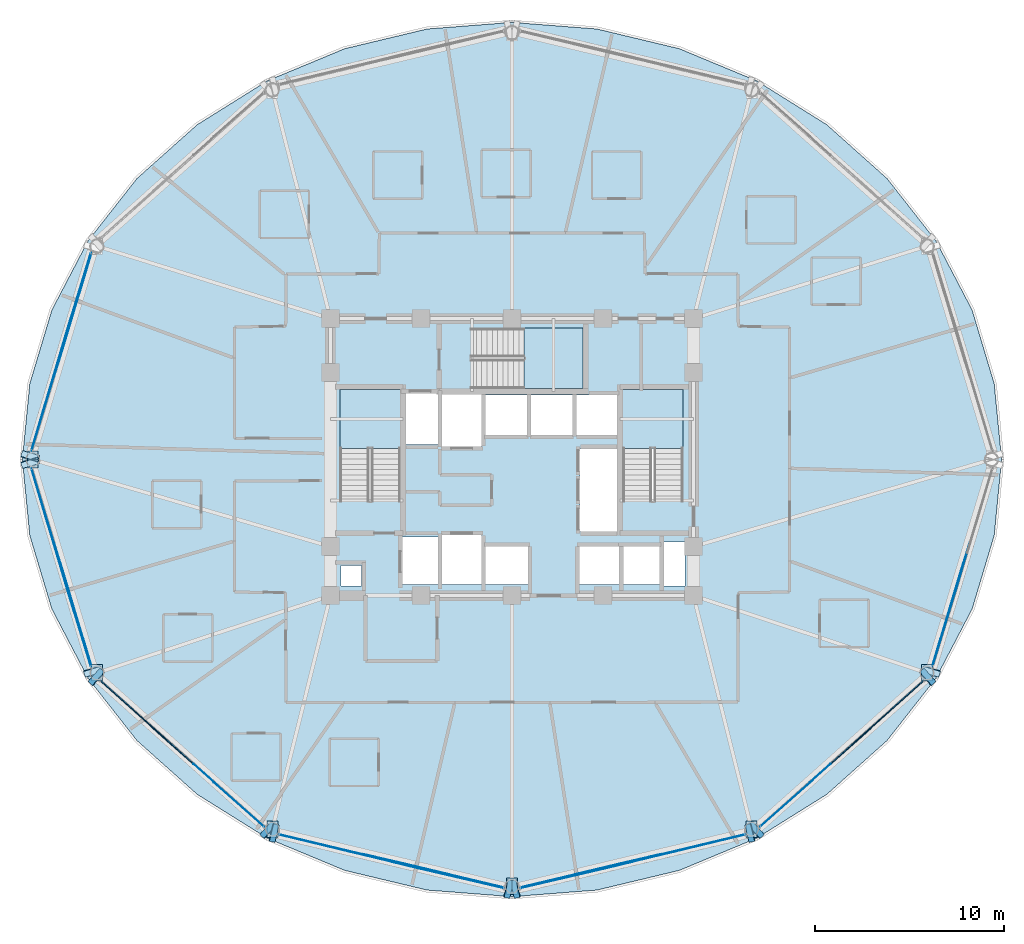
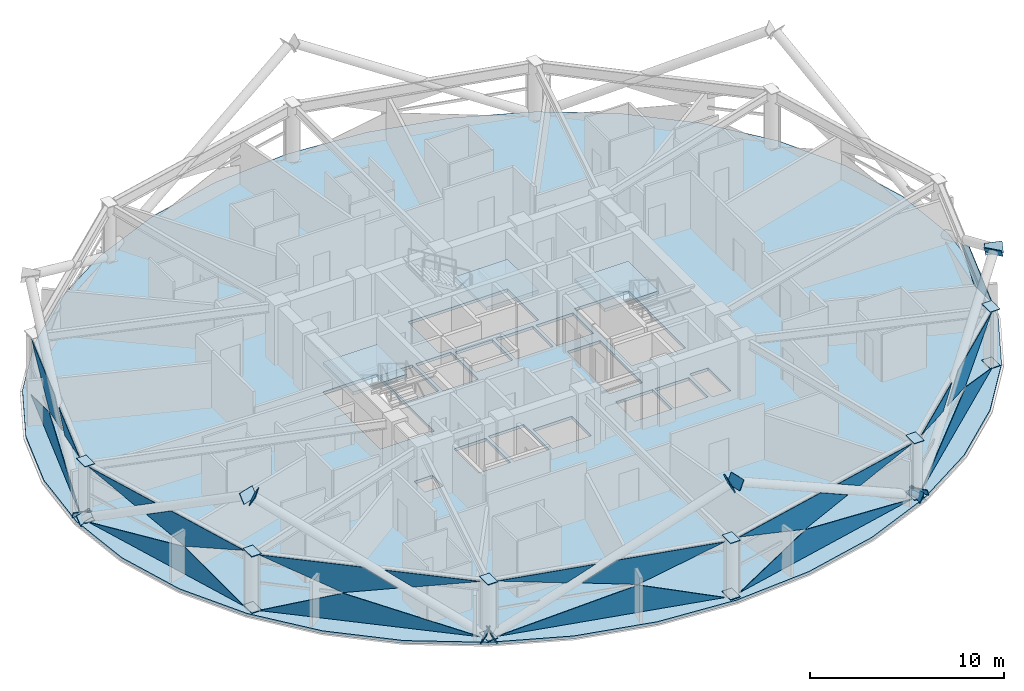
# One storey, part 21 of 30: 43 plates, 4 slabs, 10 elements without a shape of their own.
"""IFC4 building model written with IfcOpenShell, lengths in metres."""

from ifc_helpers import new_model, si_unit, direction, frame, origin, place, context, subcontext, project, spatial, polyline, outline, extrude, material, layer, layer_set, type_object, element, aggregate, save


model = new_model("IFC4")

# Units and contexts
model_context = context("Model", 3, precision=1e-05, world=origin(), true_north=direction((0.0, 1.0)))
body_context = subcontext(model_context, "Body", "Model", "MODEL_VIEW")
ifc_project = project(units=[si_unit("LENGTHUNIT", "METRE"), si_unit("AREAUNIT", "SQUARE_METRE"), si_unit("VOLUMEUNIT", "CUBIC_METRE"), si_unit("PLANEANGLEUNIT", "RADIAN"), si_unit("MASSUNIT", "GRAM", prefix="KILO")], contexts=[model_context])

# Site, building, storey
site_placement = place(None, origin())
site = spatial("IfcSite", under=ifc_project, at=site_placement, CompositionType="ELEMENT")
building_placement = place(site_placement, origin())
building = spatial("IfcBuilding", under=site, at=building_placement, Name="Vantalir Tower", CompositionType="ELEMENT")
storey_placement = place(building_placement, frame((0.0, 0.0, 119.699951171875)))
storey = spatial("IfcBuildingStorey", under=building, at=storey_placement, Name="L29", CompositionType="ELEMENT", Elevation=119.699951171875)

# Curtain wall, plates
ifc_material_1 = material(Name="Champagne-silver PVDF aluminium and double-silver Low-E glass", Category="aluminium")
ifc_layer_1 = layer(ifc_material_1, 0.199951171875)
ifc_layer_set_1 = layer_set([ifc_layer_1], Name="Champagne-silver PVDF aluminium and double-silver Low-E glass")
curtain_wall_type = type_object("IfcCurtainWallType", Name="CW-DIAMOND-Z2", PredefinedType="USERDEFINED", material=ifc_layer_set_1)
curtain_wall_1_placement = place(storey_placement, origin())
curtain_wall_1 = element("IfcCurtainWall", 1, at=curtain_wall_1_placement, inside=storey, type_object=curtain_wall_type, Name="L29 Quilted Pyramid-Diamond Curtain Wall S06", ObjectType="UNITISED CURTAIN WALL", PredefinedType="USERDEFINED")
ifc_material_2 = material(Name="Double-silver Low-E laminated glass IGU", Category="glass")
ifc_layer_2 = layer(ifc_material_2, 0.028076171875)
ifc_layer_set_2 = layer_set([ifc_layer_2], Name="Double-silver Low-E laminated glass IGU")
plate_type_1 = type_object("IfcPlateType", Name="CWP-IGU-28", PredefinedType="CURTAIN_PANEL", material=ifc_layer_set_2)
plate_1_placement = place(storey_placement, frame((9.259033203125, 35.9423828125, 0.046875), z_axis=(0.957578053616, -0.287841463526, 0.013840632538), x_axis=(-0.287868447125, -0.957669961505, -4.4506563e-05)))
plate_1 = element("IfcPlate", 2, at=plate_1_placement, type_object=plate_type_1, Name="CW-L29-S06 Pyramid Diamond Facet 1L", PredefinedType="CURTAIN_PANEL", context=body_context, shape_type="SweptSolid", body=[
    extrude(outline(polyline([(0.0, 0.0), (10.970994412692926, 8.131516293641283e-18), (4.174478585350832, -1.7266695437920627), (0.0, 0.0)])), origin(), (0.0, 0.0, -1.0), 0.028076171875),
])
plate_2_placement = place(storey_placement, frame((9.259033203125, 35.9423828125, 3.5234375), z_axis=(-0.957588260147, 0.287806505147, 0.013861443813), x_axis=(-0.287834162789, -0.957680267486, -3.11852e-07)))
plate_2 = element("IfcPlate", 3, at=plate_2_placement, type_object=plate_type_1, Name="CW-L29-S06 Pyramid Diamond Facet 2U", PredefinedType="CURTAIN_PANEL", context=body_context, shape_type="SweptSolid", body=[
    extrude(outline(polyline([(0.0, 0.0), (5.160055991354024, -3.469446951953614e-18), (6.883589873710676, -1.0384276978112634), (4.174555102110015, -1.7264845377188185), (0.0, 0.0)])), origin(), (0.0, 0.0, -1.0), 0.028076171875),
])
plate_3_placement = place(storey_placement, frame((7.425048828125, 29.952392578125, 3.52392578125), z_axis=(-0.95759268239, 0.287801646243, 0.013655293989), x_axis=(-0.287828482758, -0.95768197462, 0.0)))
plate_3 = element("IfcPlate", 4, at=plate_3_placement, type_object=plate_type_1, Name="CW-L29-S06 Pyramid Diamond Facet 2U Infill Light", PredefinedType="CURTAIN_PANEL", context=body_context, shape_type="SweptSolid", body=[
    extrude(outline(polyline([(0.0, 0.0), (4.706748669004989, 0.0), (1.396126609300826, -0.8408987161082094), (0.0, 0.0)])), origin(), (0.0, 0.0, -1.0), 0.028076171875),
])
aggregate(curtain_wall_1, [plate_1, plate_2, plate_3])

curtain_wall_2_placement = place(storey_placement, origin())
curtain_wall_2 = element("IfcCurtainWall", 5, at=curtain_wall_2_placement, inside=storey, type_object=curtain_wall_type, Name="L29 Quilted Pyramid-Diamond Curtain Wall S07", ObjectType="UNITISED CURTAIN WALL", PredefinedType="USERDEFINED")
plate_4_placement = place(storey_placement, frame((6.100830078125, 24.564208984375, 0.04638671875), z_axis=(0.957578053616, 0.287841463526, 0.013840632538), x_axis=(0.287868447125, -0.957669961505, 4.4506563e-05)))
plate_4 = element("IfcPlate", 6, at=plate_4_placement, type_object=plate_type_1, Name="CW-L29-S07 Pyramid Diamond Facet 1L", PredefinedType="CURTAIN_PANEL", context=body_context, shape_type="SweptSolid", body=[
    extrude(outline(polyline([(0.0, 0.0), (10.970994412692926, -8.131516293641283e-18), (6.796515827342093, -1.7266695437920625), (0.0, 0.0)])), origin(), (0.0, 0.0, -1.0), 0.028076171875),
])
plate_5_placement = place(storey_placement, frame((7.773681640625, 18.999267578125, 3.5234375), z_axis=(-0.957588260147, -0.287806505147, 0.013861443813), x_axis=(0.287834162789, -0.957680267486, 3.11852e-07)))
plate_5 = element("IfcPlate", 7, at=plate_5_placement, type_object=plate_type_1, Name="CW-L29-S07 Pyramid Diamond Facet 2U", PredefinedType="CURTAIN_PANEL", context=body_context, shape_type="SweptSolid", body=[
    extrude(outline(polyline([(0.0, 0.0), (5.160055991354024, 3.469446951953614e-18), (0.9855008892440076, -1.7264845377188185), (-1.7235338823566524, -1.0384276978112634), (0.0, 0.0)])), origin(), (0.0, 0.0, -1.0), 0.028076171875),
])
plate_6_placement = place(storey_placement, frame((6.0703125, 24.55517578125, 3.52392578125), z_axis=(-0.95759268239, -0.287801646243, 0.013655293989), x_axis=(0.287828482758, -0.95768197462, 0.0)))
plate_6 = element("IfcPlate", 8, at=plate_6_placement, type_object=plate_type_1, Name="CW-L29-S07 Pyramid Diamond Facet 2U Infill Light", PredefinedType="CURTAIN_PANEL", context=body_context, shape_type="SweptSolid", body=[
    extrude(outline(polyline([(0.0, 0.0), (4.706748669004989, 0.0), (3.3106220597041633, -0.8408987161082094), (0.0, 0.0)])), origin(), (0.0, 0.0, -1.0), 0.028076171875),
])
aggregate(curtain_wall_2, [plate_4, plate_5, plate_6])

curtain_wall_3_placement = place(storey_placement, origin())
curtain_wall_3 = element("IfcCurtainWall", 9, at=curtain_wall_3_placement, inside=storey, type_object=curtain_wall_type, Name="L29 Quilted Pyramid-Diamond Curtain Wall S08", ObjectType="UNITISED CURTAIN WALL", PredefinedType="USERDEFINED")
plate_7_placement = place(storey_placement, frame((9.7294921875, 13.3193359375, 0.046630859375), z_axis=(0.665299997576, 0.746453720294, 0.013518753099), x_axis=(0.746522128378, -0.665360587501, -2.1031755e-05)))
plate_7 = element("IfcPlate", 10, at=plate_7_placement, type_object=plate_type_1, Name="CW-L29-S08 Pyramid Diamond Facet 1L", PredefinedType="CURTAIN_PANEL", context=body_context, shape_type="SweptSolid", body=[
    extrude(outline(polyline([(0.0, 0.0), (11.60819104345454, 1.4690939437178585e-17), (4.412884720240076, -1.7270572745579436), (0.0, 0.0)])), origin(), (0.0, 0.0, -1.0), 0.028076171875),
])
plate_8_placement = place(storey_placement, frame((9.7294921875, 13.3193359375, 3.5234375), z_axis=(-0.665302752759, -0.74645122267, 0.013521070447), x_axis=(0.746519465343, -0.665363575697, 5.0468e-08)))
plate_8 = element("IfcPlate", 11, at=plate_8_placement, type_object=plate_type_1, Name="CW-L29-S08 Pyramid Diamond Facet 2U", PredefinedType="CURTAIN_PANEL", context=body_context, shape_type="SweptSolid", body=[
    extrude(outline(polyline([(0.0, 0.0), (5.468720027258396, 6.938893903907228e-18), (7.283555827579665, -1.037937046286152), (4.412921045257344, -1.726964455812568), (0.0, 0.0)])), origin(), (0.0, 0.0, -1.0), 0.028076171875),
])
plate_9_placement = place(storey_placement, frame((14.647705078125, 8.892822265625, 3.52392578125), z_axis=(-0.665284228893, -0.746469142291, 0.013443005368), x_axis=(0.746537036916, -0.665343858558, 4.8911553e-05)))
plate_9 = element("IfcPlate", 12, at=plate_9_placement, type_object=plate_type_1, Name="CW-L29-S08 Pyramid Diamond Facet 2U Infill Light", PredefinedType="CURTAIN_PANEL", context=body_context, shape_type="SweptSolid", body=[
    extrude(outline(polyline([(0.0, 0.0), (4.991471521318294, -2.8189256484623115e-18), (1.4751675374772637, -0.8438984094848941), (0.0, 0.0)])), origin(), (0.0, 0.0, -1.0), 0.028076171875),
])
aggregate(curtain_wall_3, [plate_7, plate_8, plate_9])

curtain_wall_4_placement = place(storey_placement, origin())
curtain_wall_4 = element("IfcCurtainWall", 13, at=curtain_wall_4_placement, inside=storey, type_object=curtain_wall_type, Name="L29 Quilted Pyramid-Diamond Curtain Wall S09", ObjectType="UNITISED CURTAIN WALL", PredefinedType="USERDEFINED")
plate_10_placement = place(storey_placement, frame((19.177490234375, 5.187255859375, 0.04638671875), z_axis=(0.232299062486, 0.972547398825, 0.013736906736), x_axis=(0.972639108939, -0.232321250348, 1.9988062e-05)))
plate_10 = element("IfcPlate", 14, at=plate_10_placement, type_object=plate_type_1, Name="CW-L29-S09 Pyramid Diamond Facet 1L", PredefinedType="CURTAIN_PANEL", context=body_context, shape_type="SweptSolid", body=[
    extrude(outline(polyline([(0.0, 0.0), (12.214321677942559, 2.3852447794681098e-18), (7.566829300633207, -1.72730665728665), (0.0, 0.0)])), origin(), (0.0, 0.0, -1.0), 0.028076171875),
])
plate_11_placement = place(storey_placement, frame((25.452392578125, 3.6884765625, 3.523681640625), z_axis=(-0.232301234705, -0.97254673687, 0.013747034514), x_axis=(0.972638510064, -0.232323754585, -4.2380741e-05)))
plate_11 = element("IfcPlate", 15, at=plate_11_placement, type_object=plate_type_1, Name="CW-L29-S09 Pyramid Diamond Facet 2U", PredefinedType="CURTAIN_PANEL", context=body_context, shape_type="SweptSolid", body=[
    extrude(outline(polyline([(0.0, 0.0), (5.762907974873751, 2.981555974335137e-19), (1.1154543352141921, -1.7274108812387383), (-1.9029553580483136, -1.0382647935510374), (0.0, 0.0)])), origin(), (0.0, 0.0, -1.0), 0.028076171875),
])
plate_12_placement = place(storey_placement, frame((19.170166015625, 5.15625, 3.524169921875), z_axis=(-0.232304264047, -0.972542172526, 0.014016117995), x_axis=(0.972637715319, -0.232327085678, 0.0)))
plate_12 = element("IfcPlate", 16, at=plate_12_placement, type_object=plate_type_1, Name="CW-L29-S09 Pyramid Diamond Facet 2U Infill Light", PredefinedType="CURTAIN_PANEL", context=body_context, shape_type="SweptSolid", body=[
    extrude(outline(polyline([(0.0, 0.0), (5.262650484484167, 0.0), (3.7102356855012117, -0.8470070301392341), (0.0, 0.0)])), origin(), (0.0, 0.0, -1.0), 0.028076171875),
])
aggregate(curtain_wall_4, [plate_10, plate_11, plate_12])

curtain_wall_5_placement = place(storey_placement, origin())
curtain_wall_5 = element("IfcCurtainWall", 17, at=curtain_wall_5_placement, inside=storey, type_object=curtain_wall_type, Name="L29 Quilted Pyramid-Diamond Curtain Wall S10", ObjectType="UNITISED CURTAIN WALL", PredefinedType="USERDEFINED")
plate_13_placement = place(storey_placement, frame((31.9423828125, 2.349609375, 0.046630859375), z_axis=(-0.232299062486, 0.972547398825, 0.013736906736), x_axis=(0.972639108939, 0.232321250348, -1.9988062e-05)))
plate_13 = element("IfcPlate", 18, at=plate_13_placement, type_object=plate_type_1, Name="CW-L29-S10 Pyramid Diamond Facet 1L", PredefinedType="CURTAIN_PANEL", context=body_context, shape_type="SweptSolid", body=[
    extrude(outline(polyline([(0.0, 0.0), (12.214321677942559, -2.3852447794681098e-18), (4.647492377309353, -1.72730665728665), (0.0, 0.0)])), origin(), (0.0, 0.0, -1.0), 0.028076171875),
])
plate_14_placement = place(storey_placement, frame((31.9423828125, 2.349609375, 3.5234375), z_axis=(0.232301234705, -0.97254673687, 0.013747034514), x_axis=(0.972638510064, 0.232323754585, 4.2380741e-05)))
plate_14 = element("IfcPlate", 19, at=plate_14_placement, type_object=plate_type_1, Name="CW-L29-S10 Pyramid Diamond Facet 2U", PredefinedType="CURTAIN_PANEL", context=body_context, shape_type="SweptSolid", body=[
    extrude(outline(polyline([(0.0, 0.0), (5.762907974873751, -2.981555974335137e-19), (7.665863332922064, -1.0382647935510374), (4.647453639659559, -1.727410881238738), (0.0, 0.0)])), origin(), (0.0, 0.0, -1.0), 0.028076171875),
])
plate_15_placement = place(storey_placement, frame((38.711181640625, 3.93359375, 3.524169921875), z_axis=(0.232304264047, -0.972542172526, 0.014016117995), x_axis=(0.972637715319, 0.232327085678, 0.0)))
plate_15 = element("IfcPlate", 20, at=plate_15_placement, type_object=plate_type_1, Name="CW-L29-S10 Pyramid Diamond Facet 2U Infill Light", PredefinedType="CURTAIN_PANEL", context=body_context, shape_type="SweptSolid", body=[
    extrude(outline(polyline([(0.0, 0.0), (5.262650484484167, 0.0), (1.5524147989829549, -0.8470070301392341), (0.0, 0.0)])), origin(), (0.0, 0.0, -1.0), 0.028076171875),
])
aggregate(curtain_wall_5, [plate_13, plate_14, plate_15])

curtain_wall_6_placement = place(storey_placement, origin())
curtain_wall_6 = element("IfcCurtainWall", 21, at=curtain_wall_6_placement, inside=storey, type_object=curtain_wall_type, Name="L29 Quilted Pyramid-Diamond Curtain Wall S11", ObjectType="UNITISED CURTAIN WALL", PredefinedType="USERDEFINED")
plate_16_placement = place(storey_placement, frame((44.604736328125, 5.595703125, 0.04638671875), z_axis=(-0.665299997576, 0.746453720294, 0.013518753099), x_axis=(0.746522128378, 0.665360587501, 2.1031755e-05)))
plate_16 = element("IfcPlate", 22, at=plate_16_placement, type_object=plate_type_1, Name="CW-L29-S11 Pyramid Diamond Facet 1L", PredefinedType="CURTAIN_PANEL", context=body_context, shape_type="SweptSolid", body=[
    extrude(outline(polyline([(0.0, 0.0), (11.60819104345454, -1.4690939437178585e-17), (7.195306323214464, -1.7270572745579436), (0.0, 0.0)])), origin(), (0.0, 0.0, -1.0), 0.028076171875),
])
plate_17_placement = place(storey_placement, frame((49.18798828125, 9.6806640625, 3.5234375), z_axis=(0.665302752759, -0.74645122267, 0.013521070447), x_axis=(0.746519465343, 0.665363575697, -5.0468e-08)))
plate_17 = element("IfcPlate", 23, at=plate_17_placement, type_object=plate_type_1, Name="CW-L29-S11 Pyramid Diamond Facet 2U", PredefinedType="CURTAIN_PANEL", context=body_context, shape_type="SweptSolid", body=[
    extrude(outline(polyline([(0.0, 0.0), (5.468720027258396, -6.938893903907228e-18), (1.055798982001051, -1.726964455812568), (-1.8148358003212686, -1.037937046286152), (0.0, 0.0)])), origin(), (0.0, 0.0, -1.0), 0.028076171875),
])
plate_18_placement = place(storey_placement, frame((44.6259765625, 5.57177734375, 3.524169921875), z_axis=(0.665284228893, -0.746469142291, 0.013443005368), x_axis=(0.746537036916, 0.665343858558, -4.8911553e-05)))
plate_18 = element("IfcPlate", 24, at=plate_18_placement, type_object=plate_type_1, Name="CW-L29-S11 Pyramid Diamond Facet 2U Infill Light", PredefinedType="CURTAIN_PANEL", context=body_context, shape_type="SweptSolid", body=[
    extrude(outline(polyline([(0.0, 0.0), (4.991471521318294, 2.8189256484623115e-18), (3.5163039838410306, -0.8438984094848941), (0.0, 0.0)])), origin(), (0.0, 0.0, -1.0), 0.028076171875),
])
aggregate(curtain_wall_6, [plate_16, plate_17, plate_18])

# Curtain wall, plate
curtain_wall_7_placement = place(storey_placement, origin())
curtain_wall_7 = element("IfcCurtainWall", 25, at=curtain_wall_7_placement, inside=storey, type_object=curtain_wall_type, Name="L29 Quilted Pyramid-Diamond Curtain Wall S12", ObjectType="UNITISED CURTAIN WALL", PredefinedType="USERDEFINED")
plate_19_placement = place(storey_placement, frame((53.740966796875, 14.0576171875, 3.5234375), z_axis=(0.957588260147, -0.287806505147, 0.013861443813), x_axis=(0.287834162789, 0.957680267486, -3.11852e-07)))
plate_19 = element("IfcPlate", 26, at=plate_19_placement, type_object=plate_type_1, Name="CW-L29-S12 Pyramid Diamond Facet 2U", PredefinedType="CURTAIN_PANEL", context=body_context, shape_type="SweptSolid", body=[
    extrude(outline(polyline([(0.0, 0.0), (5.160055991354024, -3.469446951953614e-18), (6.883589873710676, -1.0384276978112634), (4.174555102110015, -1.7264845377188185), (0.0, 0.0)])), origin(), (0.0, 0.0, -1.0), 0.028076171875),
])
aggregate(curtain_wall_7, [plate_19])

# Plates
ifc_material_3 = material(Name="Steel S460", Category="steel")
ifc_layer_3 = layer(ifc_material_3, 0.0400390625)
ifc_layer_set_3 = layer_set([ifc_layer_3], Name="Steel S460")
plate_type_2 = type_object("IfcPlateType", Name="PLT-KN-Z1", PredefinedType="USERDEFINED", material=ifc_layer_set_3)
plate_20_placement = place(storey_placement, frame((53.155517578125, 13.759765625, 6.87744140625), z_axis=(-0.246572977897, -0.820295460396, 0.516059225501), x_axis=(0.957670515675, -0.287866606966, 0.0)))
element("IfcPlate", 27, at=plate_20_placement, inside=storey, type_object=plate_type_2, Name="Node Cap Plate MEM-DG-L29-R01R End", ObjectType="FLANGE_PLATE", PredefinedType="USERDEFINED", context=body_context, shape_type="SweptSolid", body=[
    extrude(outline(polyline([(0.0, 0.0), (0.9498757180684223, 0.0), (0.9498193686218683, 0.6199335236216568), (-5.6349446554068705e-05, 0.6199335236216568), (0.0, 0.0)])), origin(), (0.0, 0.0, -1.0), 0.0400390625),
])
plate_21_placement = place(storey_placement, frame((5.617431640625, 24.52294921875, -0.06787109375), z_axis=(0.246487433988, -0.820120913175, 0.516377413002), x_axis=(0.95767832403, 0.287840628499, 1.6357062e-05)))
element("IfcPlate", 28, at=plate_21_placement, inside=storey, type_object=plate_type_2, Name="Node Cap Plate MEM-DG-L29-R19L Start", ObjectType="FLANGE_PLATE", PredefinedType="USERDEFINED", context=body_context, shape_type="SweptSolid", body=[
    extrude(outline(polyline([(0.0, 0.0), (0.9498757175918675, 2.7755575615628914e-17), (0.9500023479249362, 0.6200542131198509), (-0.00010717785150907857, 0.6200905040900339), (0.0, 0.0)])), origin(), (0.0, 0.0, -1.0), 0.0400390625),
])
plate_22_placement = place(storey_placement, frame((8.934814453125, 13.486328125, 6.87744140625), z_axis=(0.246572977897, -0.820295460396, 0.516059225501), x_axis=(0.957670515675, 0.287866606966, 0.0)))
element("IfcPlate", 29, at=plate_22_placement, inside=storey, type_object=plate_type_2, Name="Node Cap Plate MEM-DG-L29-R19L End", ObjectType="FLANGE_PLATE", PredefinedType="USERDEFINED", context=body_context, shape_type="SweptSolid", body=[
    extrude(outline(polyline([(0.0, 0.0), (0.9498757180684223, 0.0), (0.9499320675149764, 0.6199335236216567), (5.6349446554068705e-05, 0.6199335236216568), (0.0, 0.0)])), origin(), (0.0, 0.0, -1.0), 0.0400390625),
])
plate_23_placement = place(storey_placement, frame((6.527099609375, 25.20361328125, -0.06787109375), z_axis=(0.246487433988, 0.820120913175, 0.516377413002), x_axis=(-0.95767832403, 0.287840628499, -1.6357062e-05)))
element("IfcPlate", 30, at=plate_23_placement, inside=storey, type_object=plate_type_2, Name="Node Cap Plate MEM-DG-L29-R19R Start", ObjectType="FLANGE_PLATE", PredefinedType="USERDEFINED", context=body_context, shape_type="SweptSolid", body=[
    extrude(outline(polyline([(0.0, 0.0), (0.9498757175918675, -2.7755575615628914e-17), (0.9499828954433767, 0.6200905040900339), (-0.0001266303330686793, 0.6200542131198509), (0.0, 0.0)])), origin(), (0.0, 0.0, -1.0), 0.0400390625),
])
plate_24_placement = place(storey_placement, frame((18.963623046875, 4.75, -0.0830078125), z_axis=(0.853889385606, -0.203967764457, 0.47882154109), x_axis=(0.232326087956, 0.972637953556, 1.2548532e-05)))
element("IfcPlate", 31, at=plate_24_placement, inside=storey, type_object=plate_type_2, Name="Node Cap Plate MEM-DG-L29-R25L Start", ObjectType="FLANGE_PLATE", PredefinedType="USERDEFINED", context=body_context, shape_type="SweptSolid", body=[
    extrude(outline(polyline([(0.0, 0.0), (0.9500628510062665, 0.0), (0.9499334867673997, 0.6201322158473045), (0.00010809619901300934, 0.6201593721022879), (0.0, 0.0)])), origin(), (0.0, 0.0, -1.0), 0.0400390625),
])
plate_25_placement = place(storey_placement, frame((31.37353515625, 1.785888671875, 6.8779296875), z_axis=(0.853826344548, -0.203925763665, 0.478951830845), x_axis=(0.232303709897, 0.972643298629, 0.0)))
element("IfcPlate", 32, at=plate_25_placement, inside=storey, type_object=plate_type_2, Name="Node Cap Plate MEM-DG-L29-R25L End", ObjectType="FLANGE_PLATE", PredefinedType="USERDEFINED", context=body_context, shape_type="SweptSolid", body=[
    extrude(outline(polyline([(0.0, 0.0), (0.9500628513325243, 0.0), (0.9499334864411865, 0.6199178886275151), (-0.0001293648913379547, 0.6199178886275151), (0.0, 0.0)])), origin(), (0.0, 0.0, -1.0), 0.0400390625),
])
plate_26_placement = place(storey_placement, frame((18.788330078125, 5.881591796875, -0.075927734375), z_axis=(-0.647889543187, 0.577723819588, 0.496461809317), x_axis=(-0.66551788658, -0.746381900191, 4.1337984e-05)))
element("IfcPlate", 33, at=plate_26_placement, inside=storey, type_object=plate_type_2, Name="Node Cap Plate MEM-DG-L29-R25R Start", ObjectType="FLANGE_PLATE", PredefinedType="USERDEFINED", context=body_context, shape_type="SweptSolid", body=[
    extrude(outline(polyline([(0.0, 0.0), (0.9498337027615531, 5.551115123125783e-17), (0.9498466991590877, 0.6201088680268438), (-0.0001494835552438813, 0.6201993401925051), (0.0, 0.0)])), origin(), (0.0, 0.0, -1.0), 0.0400390625),
])
plate_27_placement = place(storey_placement, frame((9.712890625, 13.970458984375, 6.877685546875), z_axis=(-0.647923945691, 0.5774440948, 0.496742265144), x_axis=(-0.665336277327, -0.746543795147, 0.0)))
element("IfcPlate", 34, at=plate_27_placement, inside=storey, type_object=plate_type_2, Name="Node Cap Plate MEM-DG-L29-R25R End", ObjectType="FLANGE_PLATE", PredefinedType="USERDEFINED", context=body_context, shape_type="SweptSolid", body=[
    extrude(outline(polyline([(0.0, 0.0), (0.9500159538334854, 2.7755575615628914e-17), (0.9499191449677844, 0.6199874546510638), (-9.680886570095915e-05, 0.6199874546510638), (0.0, 0.0)])), origin(), (0.0, 0.0, -1.0), 0.0400390625),
])
plate_28_placement = place(storey_placement, frame((44.84375, 5.172607421875, -0.075927734375), z_axis=(0.647889543187, 0.577723819588, 0.496461809317), x_axis=(-0.66551788658, 0.746381900191, -4.1337984e-05)))
element("IfcPlate", 35, at=plate_28_placement, inside=storey, type_object=plate_type_2, Name="Node Cap Plate MEM-DG-L29-R31L Start", ObjectType="FLANGE_PLATE", PredefinedType="USERDEFINED", context=body_context, shape_type="SweptSolid", body=[
    extrude(outline(polyline([(0.0, 0.0), (0.9498337027615531, -5.551115123125783e-17), (0.9499831863167971, 0.620199340192505), (-1.2996397534468084e-05, 0.6201088680268438), (0.0, 0.0)])), origin(), (0.0, 0.0, -1.0), 0.0400390625),
])
plate_29_placement = place(storey_placement, frame((53.919189453125, 13.26123046875, 6.877685546875), z_axis=(0.647923945691, 0.5774440948, 0.496742265144), x_axis=(-0.665336277327, 0.746543795147, 0.0)))
element("IfcPlate", 36, at=plate_29_placement, inside=storey, type_object=plate_type_2, Name="Node Cap Plate MEM-DG-L29-R31L End", ObjectType="FLANGE_PLATE", PredefinedType="USERDEFINED", context=body_context, shape_type="SweptSolid", body=[
    extrude(outline(polyline([(0.0, 0.0), (0.9500159538334854, -2.7755575615628914e-17), (0.9501127626991863, 0.6199874546510638), (9.680886570095915e-05, 0.6199874546510638), (0.0, 0.0)])), origin(), (0.0, 0.0, -1.0), 0.0400390625),
])
plate_30_placement = place(storey_placement, frame((43.815673828125, 5.674072265625, -0.0830078125), z_axis=(-0.853889385606, -0.203967764457, 0.47882154109), x_axis=(0.232326087956, -0.972637953556, -1.2548532e-05)))
element("IfcPlate", 37, at=plate_30_placement, inside=storey, type_object=plate_type_2, Name="Node Cap Plate MEM-DG-L29-R31R Start", ObjectType="FLANGE_PLATE", PredefinedType="USERDEFINED", context=body_context, shape_type="SweptSolid", body=[
    extrude(outline(polyline([(0.0, 0.0), (0.9500628510062665, 0.0), (0.9499547548072536, 0.6201593721022879), (0.00012936423886685683, 0.6201322158473045), (0.0, 0.0)])), origin(), (0.0, 0.0, -1.0), 0.0400390625),
])
plate_31_placement = place(storey_placement, frame((31.40576171875, 2.7099609375, 6.8779296875), z_axis=(-0.853826344548, -0.203925763665, 0.478951830845), x_axis=(0.232303709897, -0.972643298629, 0.0)))
element("IfcPlate", 38, at=plate_31_placement, inside=storey, type_object=plate_type_2, Name="Node Cap Plate MEM-DG-L29-R31R End", ObjectType="FLANGE_PLATE", PredefinedType="USERDEFINED", context=body_context, shape_type="SweptSolid", body=[
    extrude(outline(polyline([(0.0, 0.0), (0.9500628513325243, 0.0), (0.9501922162238623, 0.6199178886275152), (0.0001293648913379547, 0.6199178886275151), (0.0, 0.0)])), origin(), (0.0, 0.0, -1.0), 0.0400390625),
])
ifc_layer_4 = layer(ifc_material_3, 0.035888671875)
ifc_layer_set_4 = layer_set([ifc_layer_4], Name="Steel S460")
plate_type_3 = type_object("IfcPlateType", Name="PLT-KN-Z2", PredefinedType="USERDEFINED", material=ifc_layer_set_4)
for number, where, z_axis, x_axis, name in (
    (39, (5.8701171875, 25.43994140625, 3.59814453125), (0.0, 0.0, 1.0), (0.0, -1.0, 0.0), "L29 Ring Column Top Cap RC07"),
    (40, (5.8701171875, 25.43994140625, 0.052978515625), (0.0, 0.0, 1.0), (0.0, -1.0, 0.0), "L29 Ring Column Base Cap RC07"),
):
    element("IfcPlate", number, at=place(storey_placement, frame(where, z_axis=z_axis, x_axis=x_axis)), inside=storey, type_object=plate_type_3, Name=name, ObjectType="FLANGE_PLATE", PredefinedType="USERDEFINED", context=body_context, shape_type="SweptSolid", body=[
        extrude(outline(polyline([(0.0, 0.0), (0.8798828125, 0.0), (0.8798828125, 0.579833984375), (0.0, 0.579833984375), (0.0, 0.0)])), origin(), (0.0, 0.0, -1.0), 0.035888671875),
    ])
for number, where, z_axis, x_axis, name in (
    (41, (9.264892578125, 14.156982421875, 3.59814453125), (0.0, 0.0, 1.0), (0.0, -1.0, 0.0), "L29 Ring Column Top Cap RC08"),
    (42, (9.264892578125, 14.156982421875, 0.052978515625), (0.0, 0.0, 1.0), (0.0, -1.0, 0.0), "L29 Ring Column Base Cap RC08"),
    (43, (18.5400390625, 5.89697265625, 3.59814453125), (0.0, 0.0, 1.0), (0.0, -1.0, 0.0), "L29 Ring Column Top Cap RC09"),
    (44, (18.5400390625, 5.89697265625, 0.052978515625), (0.0, 0.0, 1.0), (0.0, -1.0, 0.0), "L29 Ring Column Base Cap RC09"),
):
    element("IfcPlate", number, at=place(storey_placement, frame(where, z_axis=z_axis, x_axis=x_axis)), inside=storey, type_object=plate_type_3, Name=name, ObjectType="FLANGE_PLATE", PredefinedType="USERDEFINED", context=body_context, shape_type="SweptSolid", body=[
        extrude(outline(polyline([(0.0, 0.0), (0.8798828125, 0.0), (0.8798828125, 0.580078125), (0.0, 0.580078125), (0.0, 0.0)])), origin(), (0.0, 0.0, -1.0), 0.035888671875),
    ])
for number, where, z_axis, x_axis, name in (
    (45, (31.2099609375, 2.8740234375, 3.59814453125), (0.0, 0.0, 1.0), (0.0, -1.0, 0.0), "L29 Ring Column Top Cap RC10"),
    (46, (31.2099609375, 2.8740234375, 0.052978515625), (0.0, 0.0, 1.0), (0.0, -1.0, 0.0), "L29 Ring Column Base Cap RC10"),
):
    element("IfcPlate", number, at=place(storey_placement, frame(where, z_axis=z_axis, x_axis=x_axis)), inside=storey, type_object=plate_type_3, Name=name, ObjectType="FLANGE_PLATE", PredefinedType="USERDEFINED", context=body_context, shape_type="SweptSolid", body=[
        extrude(outline(polyline([(0.0, 0.0), (0.880126953125, 0.0), (0.880126953125, 0.580078125), (0.0, 0.580078125), (0.0, 0.0)])), origin(), (0.0, 0.0, -1.0), 0.035888671875),
    ])
for number, where, z_axis, x_axis, name in (
    (47, (43.8798828125, 5.89697265625, 3.59814453125), (0.0, 0.0, 1.0), (0.0, -1.0, 0.0), "L29 Ring Column Top Cap RC11"),
    (48, (43.8798828125, 5.89697265625, 0.052978515625), (0.0, 0.0, 1.0), (0.0, -1.0, 0.0), "L29 Ring Column Base Cap RC11"),
    (49, (53.155029296875, 14.156982421875, 3.59814453125), (0.0, 0.0, 1.0), (0.0, -1.0, 0.0), "L29 Ring Column Top Cap RC12"),
    (50, (53.155029296875, 14.156982421875, 0.052978515625), (0.0, 0.0, 1.0), (0.0, -1.0, 0.0), "L29 Ring Column Base Cap RC12"),
):
    element("IfcPlate", number, at=place(storey_placement, frame(where, z_axis=z_axis, x_axis=x_axis)), inside=storey, type_object=plate_type_3, Name=name, ObjectType="FLANGE_PLATE", PredefinedType="USERDEFINED", context=body_context, shape_type="SweptSolid", body=[
        extrude(outline(polyline([(0.0, 0.0), (0.8798828125, 0.0), (0.8798828125, 0.580078125), (0.0, 0.580078125), (0.0, 0.0)])), origin(), (0.0, 0.0, -1.0), 0.035888671875),
    ])

# Stair, slab
ifc_material_4 = material(Name="Concrete C40/50", Category="concrete")
stair_type = type_object("IfcStairType", Name="STR-CORE-1450", PredefinedType="HALF_TURN_STAIR", material=ifc_material_4)
stair_1_placement = place(storey_placement, origin())
stair_1 = element("IfcStair", 51, at=stair_1_placement, inside=storey, type_object=stair_type, Name="L29 Core Exit Stair 1", PredefinedType="HALF_TURN_STAIR")
ifc_layer_5 = layer(ifc_material_4, 0.199951171875)
ifc_layer_set_5 = layer_set([ifc_layer_5], Name="Concrete C40/50")
slab_type_1 = type_object("IfcSlabType", Name="SL-LAND-200", PredefinedType="LANDING", material=ifc_layer_set_5)
slab_1_placement = place(storey_placement, frame((0.0, 0.0, 1.675048828125)))
slab_1 = element("IfcSlab", 52, at=slab_1_placement, type_object=slab_type_1, Name="ST1 landing 1", PredefinedType="LANDING", context=body_context, shape_type="SweptSolid", body=[
    extrude(outline(polyline([(25.60009765625, 25.590087890625), (25.60009765625, 28.699951171875), (22.39990234375, 28.699951171875), (22.39990234375, 25.590087890625), (25.60009765625, 25.590087890625)])), origin(), (0.0, 0.0, 1.0), 0.199951171875),
])
aggregate(stair_1, [slab_1])

stair_2_placement = place(storey_placement, origin())
stair_2 = element("IfcStair", 53, at=stair_2_placement, inside=storey, type_object=stair_type, Name="L29 Core Exit Stair 2", PredefinedType="HALF_TURN_STAIR")
slab_2_placement = place(storey_placement, frame((0.0, 0.0, 1.675048828125)))
slab_2 = element("IfcSlab", 54, at=slab_2_placement, type_object=slab_type_1, Name="ST2 landing 1", PredefinedType="LANDING", context=body_context, shape_type="SweptSolid", body=[
    extrude(outline(polyline([(40.550048828125, 25.590087890625), (40.550048828125, 28.699951171875), (37.35009765625, 28.699951171875), (37.35009765625, 25.590087890625), (40.550048828125, 25.590087890625)])), origin(), (0.0, 0.0, 1.0), 0.199951171875),
])
aggregate(stair_2, [slab_2])

stair_3_placement = place(storey_placement, origin())
stair_3 = element("IfcStair", 55, at=stair_3_placement, inside=storey, type_object=stair_type, Name="L29 Core Exit Stair 3", PredefinedType="HALF_TURN_STAIR")
slab_3_placement = place(storey_placement, frame((0.0, 0.0, 1.675048828125)))
slab_3 = element("IfcSlab", 56, at=slab_3_placement, type_object=slab_type_1, Name="ST3 landing 1", PredefinedType="LANDING", context=body_context, shape_type="SweptSolid", body=[
    extrude(outline(polyline([(32.139892578125, 28.75), (35.25, 28.75), (35.25, 31.949951171875), (32.139892578125, 31.949951171875), (32.139892578125, 28.75)])), origin(), (0.0, 0.0, 1.0), 0.199951171875),
])
aggregate(stair_3, [slab_3])

# Slab
ifc_layer_6 = layer(ifc_material_4, 0.179931640625)
ifc_layer_set_6 = layer_set([ifc_layer_6], Name="Concrete C40/50")
slab_type_2 = type_object("IfcSlabType", Name="SL-TWR-180", PredefinedType="FLOOR", material=ifc_layer_set_6)
slab_4_placement = place(storey_placement, frame((0.0, 0.0, -0.179931640625)))
element("IfcSlab", 57, at=slab_4_placement, inside=storey, type_object=slab_type_2, Name="L29 Primary Structural Slab", PredefinedType="FLOOR", context=body_context, shape_type="SweptSolid", body=[
    extrude(outline(polyline([(9.0791015625, 13.44189453125), (11.6669921875, 10.14111328125), (14.85791015625, 7.2919921875), (18.554931640625, 4.98095703125), (22.64501953125, 3.278076171875), (27.00390625, 2.235107421875), (31.5, 1.884033203125), (35.99609375, 2.235107421875), (40.35498046875, 3.278076171875), (44.445068359375, 4.98095703125), (48.14208984375, 7.2919921875), (51.3330078125, 10.14111328125), (53.9208984375, 13.44189453125), (55.8291015625, 17.093994140625), (56.9970703125, 20.986083984375), (57.389892578125, 25.0), (56.9970703125, 29.013916015625), (55.8291015625, 32.906005859375), (53.9208984375, 36.55810546875), (51.3330078125, 39.85888671875), (48.14208984375, 42.7080078125), (44.445068359375, 45.01904296875), (40.35498046875, 46.721923828125), (35.99609375, 47.764892578125), (31.5, 48.115966796875), (27.00390625, 47.764892578125), (22.64501953125, 46.721923828125), (18.554931640625, 45.01904296875), (14.85791015625, 42.7080078125), (11.6669921875, 39.85888671875), (9.0791015625, 36.55810546875), (7.1708984375, 32.906005859375), (6.0029296875, 29.013916015625), (5.610107421875, 25.0), (6.0029296875, 20.986083984375), (7.1708984375, 17.093994140625), (9.0791015625, 13.44189453125)]), holes=[polyline([(22.39990234375, 22.7900390625), (22.39990234375, 28.699951171875), (25.60009765625, 28.699951171875), (25.60009765625, 22.7900390625), (22.39990234375, 22.7900390625)]), polyline([(37.35009765625, 28.699951171875), (40.550048828125, 28.699951171875), (40.550048828125, 22.7900390625), (37.35009765625, 22.7900390625), (37.35009765625, 28.699951171875)]), polyline([(35.25, 28.75), (29.340087890625, 28.75), (29.340087890625, 31.949951171875), (35.25, 31.949951171875), (35.25, 28.75)]), polyline([(27.60009765625, 18.39990234375), (25.699951171875, 18.39990234375), (25.699951171875, 20.89990234375), (27.60009765625, 20.89990234375), (27.60009765625, 18.39990234375)]), polyline([(25.699951171875, 25.800048828125), (25.699951171875, 28.5), (27.60009765625, 28.5), (27.60009765625, 25.800048828125), (25.699951171875, 25.800048828125)]), polyline([(27.800048828125, 21.0), (29.89990234375, 21.0), (29.89990234375, 18.39990234375), (27.800048828125, 18.39990234375), (27.800048828125, 21.0)]), polyline([(29.89990234375, 28.5), (29.89990234375, 25.699951171875), (27.800048828125, 25.699951171875), (27.800048828125, 28.5), (29.89990234375, 28.5)]), polyline([(32.39990234375, 18.39990234375), (30.10009765625, 18.39990234375), (30.10009765625, 20.39990234375), (32.39990234375, 20.39990234375), (32.39990234375, 18.39990234375)]), polyline([(37.35009765625, 18.39990234375), (37.35009765625, 20.39990234375), (39.35009765625, 20.39990234375), (39.35009765625, 18.39990234375), (37.35009765625, 18.39990234375)]), polyline([(35.0, 20.39990234375), (37.199951171875, 20.39990234375), (37.199951171875, 18.39990234375), (35.0, 18.39990234375), (35.0, 20.39990234375)]), polyline([(32.300048828125, 28.39990234375), (32.300048828125, 26.300048828125), (30.10009765625, 26.300048828125), (30.10009765625, 28.39990234375), (32.300048828125, 28.39990234375)]), polyline([(34.699951171875, 26.300048828125), (32.5, 26.300048828125), (32.5, 28.39990234375), (34.699951171875, 28.39990234375), (34.699951171875, 26.300048828125)]), polyline([(34.89990234375, 26.300048828125), (34.89990234375, 28.39990234375), (37.10009765625, 28.39990234375), (37.10009765625, 26.300048828125), (34.89990234375, 26.300048828125)]), polyline([(35.10009765625, 25.56005859375), (37.06005859375, 25.56005859375), (37.06005859375, 21.199951171875), (35.10009765625, 21.199951171875), (35.10009765625, 25.56005859375)]), polyline([(23.550048828125, 19.39990234375), (23.550048828125, 18.300048828125), (22.449951171875, 18.300048828125), (22.449951171875, 19.39990234375), (23.550048828125, 19.39990234375)]), polyline([(40.64990234375, 18.300048828125), (39.550048828125, 18.300048828125), (39.550048828125, 20.64990234375), (40.64990234375, 20.64990234375), (40.64990234375, 18.300048828125)])]), origin(), (0.0, 0.0, 1.0), 0.179931640625),
])

save(model, "model.ifc")
